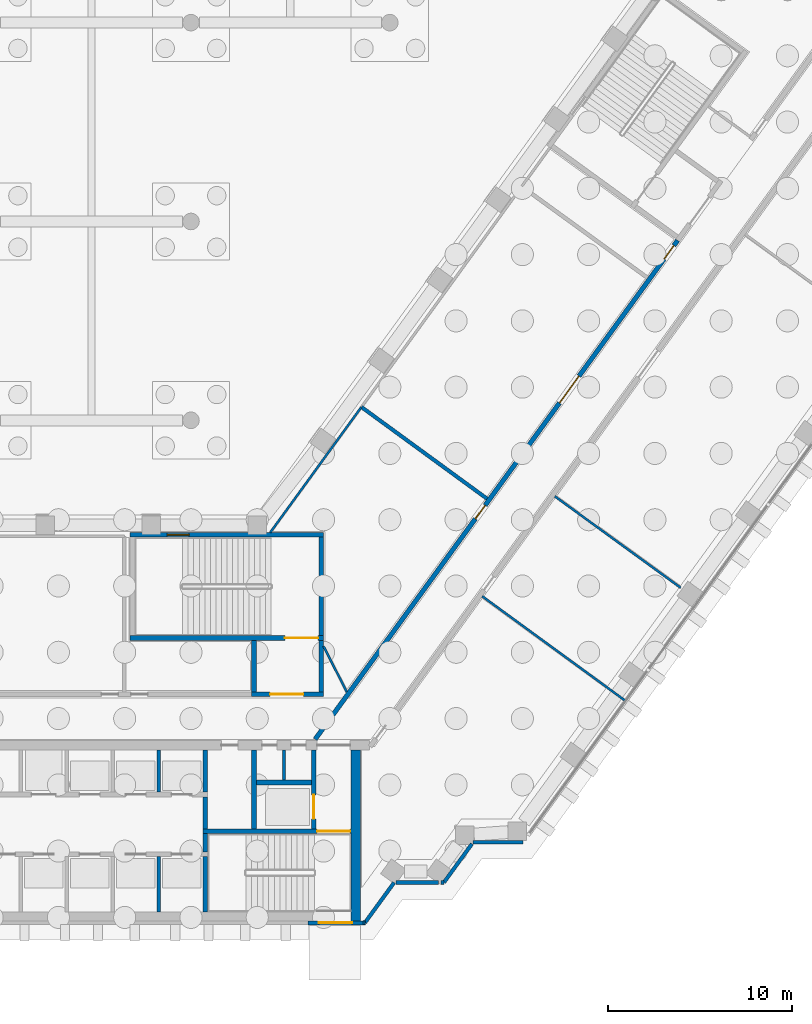
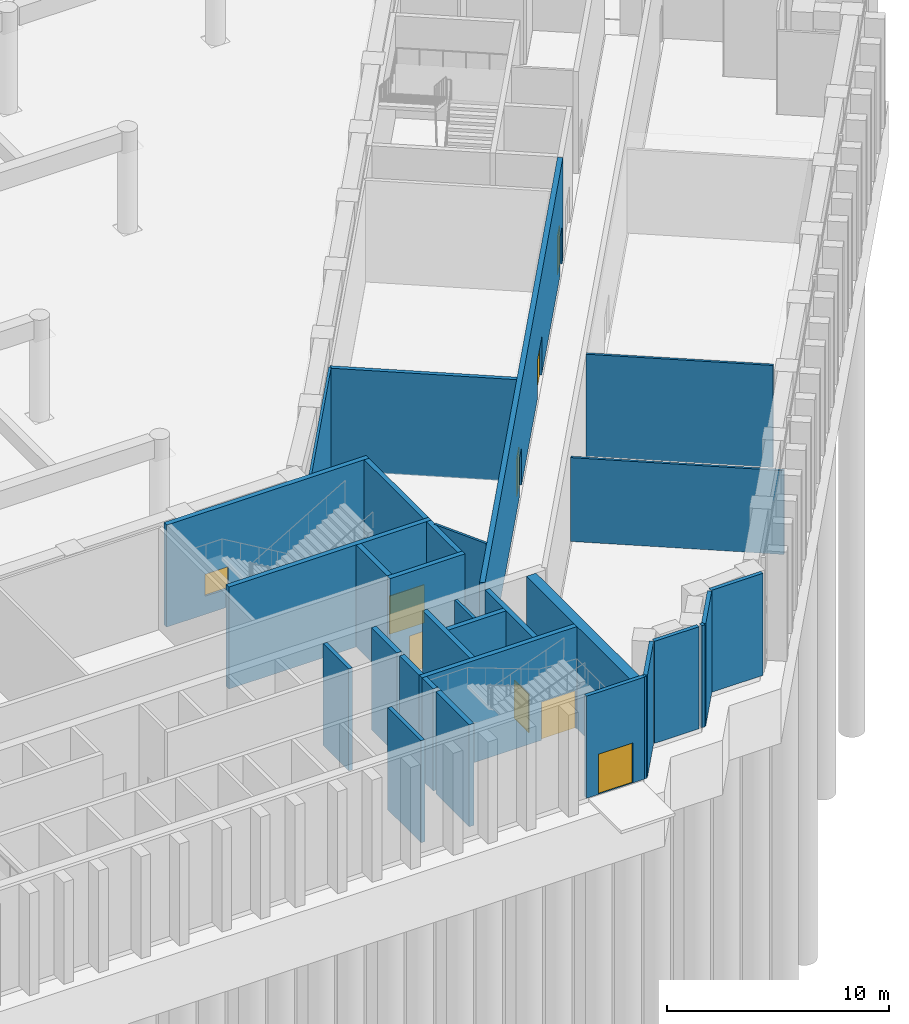
# One storey, part 20 of 32: 31 walls, 8 doors, 1 window, 9 openings.
"""IFC4 building model written with IfcOpenShell, lengths in metres."""

from ifc_helpers import new_model, si_unit, direction, frame, frame_2d, origin, place, context, subcontext, project, spatial, rectangle, extrude, material, layer, layer_set, type_object, element, fill, save


model = new_model("IFC4")

# Units and contexts
model_context = context("Model", 3, precision=1e-05, world=origin(), true_north=direction((0.0, 1.0)))
body_context = subcontext(model_context, "Body", "Model", "MODEL_VIEW")
ifc_project = project(units=[si_unit("LENGTHUNIT", "METRE"), si_unit("AREAUNIT", "SQUARE_METRE"), si_unit("VOLUMEUNIT", "CUBIC_METRE"), si_unit("PLANEANGLEUNIT", "RADIAN"), si_unit("MASSUNIT", "GRAM", prefix="KILO")], contexts=[model_context])

# Site, building, storey
site_placement = place(None, origin())
site = spatial("IfcSite", under=ifc_project, at=site_placement, CompositionType="ELEMENT")
building_placement = place(site_placement, origin())
building = spatial("IfcBuilding", under=site, at=building_placement, Name="Quipu Civic Tower", CompositionType="ELEMENT")
storey_placement = place(building_placement, origin())
storey = spatial("IfcBuildingStorey", under=building, at=storey_placement, Name="L00", CompositionType="ELEMENT", Elevation=0.0)

# Walls
ifc_material_1 = material(Name="Fired clay blockwork", Category="masonry")
ifc_layer_1 = layer(ifc_material_1, 0.199951171875)
ifc_layer_set_1 = layer_set([ifc_layer_1], Name="Fired clay blockwork")
wall_type_1 = type_object("IfcWallType", Name="Blockwork wall 200", PredefinedType="SOLIDWALL", material=ifc_layer_set_1)
wall_1_placement = place(storey_placement, frame((20.057861328125, 16.922119140625, 0.0), z_axis=(0.0, 0.0, 1.0), x_axis=(0.807658919151, -0.58964995575, 0.0)))
element("IfcWall", 1, at=wall_1_placement, inside=storey, type_object=wall_type_1, Name="Partition P07", PredefinedType="SOLIDWALL", context=body_context, shape_type="SweptSolid", body=[
    extrude(rectangle(XDim=8.449462890625, YDim=0.199951171875, at=frame_2d((4.224609375, 0.0))), origin(), (0.0, 0.0, 1.0), 5.60009765625),
])
ifc_material_2 = material(Name="Concrete C70/85", Category="concrete")
ifc_layer_2 = layer(ifc_material_2, 0.25)
ifc_layer_set_2 = layer_set([ifc_layer_2], Name="Concrete C70/85")
wall_type_2 = type_object("IfcWallType", Name="Core wall 250", PredefinedType="SHEAR", material=ifc_layer_set_2)
wall_2_placement = place(storey_placement, frame((11.574951171875, -10.5, 0.0), z_axis=(0.0, 0.0, 1.0), x_axis=(0.0, 1.0, 0.0)))
element("IfcWall", 2, at=wall_2_placement, inside=storey, type_object=wall_type_2, Name="Core wall", PredefinedType="SHEAR", context=body_context, shape_type="SweptSolid", body=[
    extrude(rectangle(XDim=3.0, YDim=0.25, at=frame_2d((1.5, 0.0))), origin(), (0.0, 0.0, 1.0), 5.60009765625),
])
wall_3_placement = place(storey_placement, frame((11.574951171875, -7.25, 0.0), z_axis=(0.0, 0.0, 1.0), x_axis=(0.0, 1.0, 0.0)))
element("IfcWall", 3, at=wall_3_placement, inside=storey, type_object=wall_type_2, Name="Core wall", PredefinedType="SHEAR", context=body_context, shape_type="SweptSolid", body=[
    extrude(rectangle(XDim=1.0, YDim=0.25, at=frame_2d((0.5, 0.0))), origin(), (0.0, 0.0, 1.0), 5.60009765625),
])

# Wall, opening, door
wall_4_placement = place(storey_placement, frame((19.5, -6.125, 0.0), z_axis=(0.0, 0.0, 1.0), x_axis=(-1.0, 0.0, 0.0)))
wall_4 = element("IfcWall", 4, at=wall_4_placement, inside=storey, type_object=wall_type_2, Name="Core wall", PredefinedType="SHEAR", context=body_context, shape_type="SweptSolid", body=[
    extrude(rectangle(XDim=8.050048828125, YDim=0.25, at=frame_2d((4.02490234375, 0.0))), origin(), (0.0, 0.0, 1.0), 5.60009765625),
])
opening_1_placement = place(wall_4_placement, frame((0.050048828125, 0.0, 0.0)))
opening_1 = element("IfcOpeningElement", 5, at=opening_1_placement, cuts=wall_4, Name="Opening CD-05", PredefinedType="OPENING", context=body_context, shape_type="SweptSolid", body=[
    extrude(rectangle(XDim=1.800048828125, YDim=2.10009765625, at=frame_2d((0.89990234375, 1.050048828125))), frame((0.0, 0.135009765625, 0.0), z_axis=(0.0, -1.0, 0.0), x_axis=(1.0, 0.0, 0.0)), (0.0, 0.0, 1.0), 0.27001953125),
])
ifc_material_3 = material(Name="Fire rated steel door", Category="steel")
door_type_1 = type_object("IfcDoorType", Name="Fire door FD90 double 1800 x 2100", OperationType="NOTDEFINED", PredefinedType="DOOR", material=ifc_material_3)
door_1_placement = place(opening_1_placement, origin())
door_1 = element("IfcDoor", 6, at=door_1_placement, inside=storey, type_object=door_type_1, Name="Door", OperationType="DOUBLE_DOOR_SINGLE_SWING", OverallHeight=2.10009765625, OverallWidth=1.800048828125, PredefinedType="DOOR", context=body_context, shape_type="SweptSolid", body=[
    extrude(rectangle(XDim=1.800048828125, YDim=2.10009765625, at=frame_2d((0.89990234375, 1.050048828125))), frame((0.0, 0.02490234375, 0.0), z_axis=(0.0, -1.0, 0.0), x_axis=(1.0, 0.0, 0.0)), (0.0, 0.0, 1.0), 0.050048828125),
])
fill(opening_1, door_1)

# Walls
wall_5_placement = place(storey_placement, frame((11.574951171875, -6.0, 0.0), z_axis=(0.0, 0.0, 1.0), x_axis=(0.0, 1.0, 0.0)))
element("IfcWall", 7, at=wall_5_placement, inside=storey, type_object=wall_type_2, Name="Core wall", PredefinedType="SHEAR", context=body_context, shape_type="SweptSolid", body=[
    extrude(rectangle(XDim=1.75, YDim=0.25, at=frame_2d((0.875, 0.0))), origin(), (0.0, 0.0, 1.0), 5.60009765625),
])
wall_6_placement = place(storey_placement, frame((14.22509765625, -6.0, 0.0), z_axis=(0.0, 0.0, 1.0), x_axis=(0.0, 1.0, 0.0)))
element("IfcWall", 8, at=wall_6_placement, inside=storey, type_object=wall_type_2, Name="Core wall", PredefinedType="SHEAR", context=body_context, shape_type="SweptSolid", body=[
    extrude(rectangle(XDim=4.300048828125, YDim=0.25, at=frame_2d((2.14990234375, 0.0))), origin(), (0.0, 0.0, 1.0), 5.60009765625),
])

# Wall, opening, door
wall_7_placement = place(storey_placement, frame((17.47509765625, -6.0, 0.0), z_axis=(0.0, 0.0, 1.0), x_axis=(0.0, 1.0, 0.0)))
wall_7 = element("IfcWall", 9, at=wall_7_placement, inside=storey, type_object=wall_type_2, Name="Core wall", PredefinedType="SHEAR", context=body_context, shape_type="SweptSolid", body=[
    extrude(rectangle(XDim=4.300048828125, YDim=0.25, at=frame_2d((2.14990234375, 0.0))), origin(), (0.0, 0.0, 1.0), 5.60009765625),
])
opening_2_placement = place(wall_7_placement, frame((0.550048828125, 0.0, 0.0)))
opening_2 = element("IfcOpeningElement", 10, at=opening_2_placement, cuts=wall_7, Name="Opening LD-FF2", PredefinedType="OPENING", context=body_context, shape_type="SweptSolid", body=[
    extrude(rectangle(XDim=1.300048828125, YDim=2.10009765625, at=frame_2d((0.64990234375, 1.050048828125))), frame((0.0, 0.135009765625, 0.0), z_axis=(0.0, -1.0, 0.0), x_axis=(1.0, 0.0, 0.0)), (0.0, 0.0, 1.0), 0.27001953125),
])
ifc_material_4 = material(Name="Stainless steel", Category="steel")
door_type_2 = type_object("IfcDoorType", Name="Lift landing door 1300 x 2100", OperationType="DOUBLE_DOOR_SLIDING", PredefinedType="DOOR", material=ifc_material_4)
door_2_placement = place(opening_2_placement, origin())
door_2 = element("IfcDoor", 11, at=door_2_placement, inside=storey, type_object=door_type_2, Name="Landing door FF2", OperationType="DOUBLE_DOOR_SLIDING", OverallHeight=2.10009765625, OverallWidth=1.300048828125, PredefinedType="DOOR", context=body_context, shape_type="SweptSolid", body=[
    extrude(rectangle(XDim=1.300048828125, YDim=2.10009765625, at=frame_2d((0.64990234375, 1.050048828125))), frame((0.0, 0.02490234375, 0.0), z_axis=(0.0, -1.0, 0.0), x_axis=(1.0, 0.0, 0.0)), (0.0, 0.0, 1.0), 0.050048828125),
])
fill(opening_2, door_2)

# Walls
wall_8_placement = place(storey_placement, frame((11.574951171875, -4.0, 0.0), z_axis=(0.0, 0.0, 1.0), x_axis=(0.0, 1.0, 0.0)))
element("IfcWall", 12, at=wall_8_placement, inside=storey, type_object=wall_type_2, Name="Core wall", PredefinedType="SHEAR", context=body_context, shape_type="SweptSolid", body=[
    extrude(rectangle(XDim=2.300048828125, YDim=0.25, at=frame_2d((1.14990234375, 0.0))), origin(), (0.0, 0.0, 1.0), 5.60009765625),
])
wall_9_placement = place(storey_placement, frame((14.35009765625, -3.47509765625, 0.0), z_axis=(0.0, 0.0, 1.0), x_axis=(1.0, 0.0, 0.0)))
element("IfcWall", 13, at=wall_9_placement, inside=storey, type_object=wall_type_2, Name="Core wall", PredefinedType="SHEAR", context=body_context, shape_type="SweptSolid", body=[
    extrude(rectangle(XDim=3.0, YDim=0.25, at=frame_2d((1.5, 0.0))), origin(), (0.0, 0.0, 1.0), 5.60009765625),
])

# Wall, opening, door
wall_10_placement = place(storey_placement, frame((14.10009765625, 1.324951171875, 0.0), z_axis=(0.0, 0.0, 1.0), x_axis=(1.0, 0.0, 0.0)))
wall_10 = element("IfcWall", 14, at=wall_10_placement, inside=storey, type_object=wall_type_2, Name="Core wall", PredefinedType="SHEAR", context=body_context, shape_type="SweptSolid", body=[
    extrude(rectangle(XDim=3.89990234375, YDim=0.25, at=frame_2d((1.949951171875, 0.0))), origin(), (0.0, 0.0, 1.0), 5.60009765625),
])
opening_3_placement = place(wall_10_placement, frame((1.0, 0.0, 0.0)))
opening_3 = element("IfcOpeningElement", 15, at=opening_3_placement, cuts=wall_10, Name="Opening CD-18", PredefinedType="OPENING", context=body_context, shape_type="SweptSolid", body=[
    extrude(rectangle(XDim=1.800048828125, YDim=2.10009765625, at=frame_2d((0.89990234375, 1.050048828125))), frame((0.0, 0.135009765625, 0.0), z_axis=(0.0, -1.0, 0.0), x_axis=(1.0, 0.0, 0.0)), (0.0, 0.0, 1.0), 0.27001953125),
])
door_3_placement = place(opening_3_placement, origin())
door_3 = element("IfcDoor", 16, at=door_3_placement, inside=storey, type_object=door_type_1, Name="Lobby door", OperationType="DOUBLE_DOOR_SINGLE_SWING", OverallHeight=2.10009765625, OverallWidth=1.800048828125, PredefinedType="DOOR", context=body_context, shape_type="SweptSolid", body=[
    extrude(rectangle(XDim=1.800048828125, YDim=2.10009765625, at=frame_2d((0.89990234375, 1.050048828125))), frame((0.0, 0.02490234375, 0.0), z_axis=(0.0, -1.0, 0.0), x_axis=(1.0, 0.0, 0.0)), (0.0, 0.0, 1.0), 0.050048828125),
])
fill(opening_3, door_3)

# Walls
for number, where, z_axis, x_axis, name in (
    (17, (14.22509765625, 1.449951171875, 0.0), (0.0, 0.0, 1.0), (0.0, 1.0, 0.0), "Core wall"),
    (18, (17.875, 1.449951171875, 0.0), (0.0, 0.0, 1.0), (0.0, 1.0, 0.0), "Core wall"),
):
    element("IfcWall", number, at=place(storey_placement, frame(where, z_axis=z_axis, x_axis=x_axis)), inside=storey, type_object=wall_type_2, Name=name, PredefinedType="SHEAR", context=body_context, shape_type="SweptSolid", body=[
        extrude(rectangle(XDim=2.800048828125, YDim=0.25, at=frame_2d((1.39990234375, 0.0))), origin(), (0.0, 0.0, 1.0), 5.60009765625),
    ])

# Wall, opening, door
wall_11_placement = place(storey_placement, frame((7.5, 4.375, 0.0), z_axis=(0.0, 0.0, 1.0), x_axis=(1.0, 0.0, 0.0)))
wall_11 = element("IfcWall", 19, at=wall_11_placement, inside=storey, type_object=wall_type_2, Name="Core wall", PredefinedType="SHEAR", context=body_context, shape_type="SweptSolid", body=[
    extrude(rectangle(XDim=10.5, YDim=0.25, at=frame_2d((5.25, 0.0))), origin(), (0.0, 0.0, 1.0), 5.60009765625),
])
opening_4_placement = place(wall_11_placement, frame((8.39990234375, 0.0, 0.0)))
opening_4 = element("IfcOpeningElement", 20, at=opening_4_placement, cuts=wall_11, Name="Opening CD-19", PredefinedType="OPENING", context=body_context, shape_type="SweptSolid", body=[
    extrude(rectangle(XDim=1.800048828125, YDim=2.10009765625, at=frame_2d((0.89990234375, 1.050048828125))), frame((0.0, 0.135009765625, 0.0), z_axis=(0.0, -1.0, 0.0), x_axis=(1.0, 0.0, 0.0)), (0.0, 0.0, 1.0), 0.27001953125),
])
door_4_placement = place(opening_4_placement, origin())
door_4 = element("IfcDoor", 21, at=door_4_placement, inside=storey, type_object=door_type_1, Name="Door", OperationType="DOUBLE_DOOR_SINGLE_SWING", OverallHeight=2.10009765625, OverallWidth=1.800048828125, PredefinedType="DOOR", context=body_context, shape_type="SweptSolid", body=[
    extrude(rectangle(XDim=1.800048828125, YDim=2.10009765625, at=frame_2d((0.89990234375, 1.050048828125))), frame((0.0, 0.02490234375, 0.0), z_axis=(0.0, -1.0, 0.0), x_axis=(1.0, 0.0, 0.0)), (0.0, 0.0, 1.0), 0.050048828125),
])
fill(opening_4, door_4)

# Wall
wall_12_placement = place(storey_placement, frame((17.875, 4.5, 0.0), z_axis=(0.0, 0.0, 1.0), x_axis=(0.0, 1.0, 0.0)))
element("IfcWall", 22, at=wall_12_placement, inside=storey, type_object=wall_type_2, Name="Core wall", PredefinedType="SHEAR", context=body_context, shape_type="SweptSolid", body=[
    extrude(rectangle(XDim=5.35009765625, YDim=0.25, at=frame_2d((2.675048828125, 0.0))), origin(), (0.0, 0.0, 1.0), 5.60009765625),
])

# Wall, opening, window
wall_13_placement = place(storey_placement, frame((7.5, 9.97509765625, 0.0), z_axis=(0.0, 0.0, 1.0), x_axis=(1.0, 0.0, 0.0)))
wall_13 = element("IfcWall", 23, at=wall_13_placement, inside=storey, type_object=wall_type_2, Name="Core wall", PredefinedType="SHEAR", context=body_context, shape_type="SweptSolid", body=[
    extrude(rectangle(XDim=10.5, YDim=0.25, at=frame_2d((5.25, 0.0))), origin(), (0.0, 0.0, 1.0), 5.60009765625),
])
opening_5_placement = place(wall_13_placement, frame((2.0, 0.0, 1.0)))
opening_5 = element("IfcOpeningElement", 24, at=opening_5_placement, cuts=wall_13, Name="Opening SV-4", PredefinedType="OPENING", context=body_context, shape_type="SweptSolid", body=[
    extrude(rectangle(XDim=1.199951171875, YDim=1.199951171875, at=frame_2d((0.60009765625, 0.60009765625))), frame((0.0, 0.135009765625, 0.0), z_axis=(0.0, -1.0, 0.0), x_axis=(1.0, 0.0, 0.0)), (0.0, 0.0, 1.0), 0.27001953125),
])
ifc_material_5 = material(Name="Aluminium louvre", Category="aluminium")
window_type = type_object("IfcWindowType", Name="Stair ventilation louvre 1200 x 1200", PartitioningType="SINGLE_PANEL", PredefinedType="WINDOW", material=ifc_material_5)
window_placement = place(opening_5_placement, origin())
window = element("IfcWindow", 25, at=window_placement, inside=storey, type_object=window_type, Name="Stair ventilation opening", OverallHeight=1.199951171875, OverallWidth=1.199951171875, PartitioningType="SINGLE_PANEL", PredefinedType="WINDOW", context=body_context, shape_type="SweptSolid", body=[
    extrude(rectangle(XDim=1.199951171875, YDim=1.199951171875, at=frame_2d((0.60009765625, 0.60009765625))), frame((0.0, 0.030029296875, 0.0), z_axis=(0.0, -1.0, 0.0), x_axis=(1.0, 0.0, 0.0)), (0.0, 0.0, 1.0), 0.06005859375),
])
fill(opening_5, window)

# Wall
ifc_material_6 = material(Name="Concrete C70/85", Category="concrete")
ifc_layer_3 = layer(ifc_material_6, 0.5)
ifc_layer_set_3 = layer_set([ifc_layer_3], Name="Concrete C70/85")
wall_type_3 = type_object("IfcWallType", Name="Core wall 500", PredefinedType="SHEAR", material=ifc_layer_set_3)
wall_14_placement = place(storey_placement, frame((19.75, -11.0, 0.0), z_axis=(0.0, 0.0, 1.0), x_axis=(0.0, 1.0, 0.0)))
element("IfcWall", 26, at=wall_14_placement, inside=storey, type_object=wall_type_3, Name="Core wall", PredefinedType="SHEAR", context=body_context, shape_type="SweptSolid", body=[
    extrude(rectangle(XDim=9.300048828125, YDim=0.5, at=frame_2d((4.64990234375, 0.0))), origin(), (0.0, 0.0, 1.0), 5.60009765625),
])

# Wall, openings, doors
ifc_material_7 = material(Name="Concrete C50/60", Category="concrete")
ifc_layer_4 = layer(ifc_material_7, 0.25)
ifc_layer_set_4 = layer_set([ifc_layer_4], Name="Concrete C50/60")
wall_type_4 = type_object("IfcWallType", Name="Corridor wall 250 concrete", PredefinedType="SOLIDWALL", material=ifc_layer_set_4)
wall_15_placement = place(storey_placement, frame((17.544921875, -1.124755859375, 0.0), z_axis=(0.0, 0.0, 1.0), x_axis=(0.587786323093, 0.809016216391, 0.0)))
wall_15 = element("IfcWall", 27, at=wall_15_placement, inside=storey, type_object=wall_type_4, Name="Corridor wall C06", PredefinedType="SOLIDWALL", context=body_context, shape_type="SweptSolid", body=[
    extrude(rectangle(XDim=33.4931640625, YDim=0.25, at=frame_2d((16.74658203125, 0.0))), origin(), (0.0, 0.0, 1.0), 5.60009765625),
])
opening_6_placement = place(wall_15_placement, frame((22.583251953125, 0.0, 0.0)))
opening_6 = element("IfcOpeningElement", 28, at=opening_6_placement, cuts=wall_15, Name="Opening D002", PredefinedType="OPENING", context=body_context, shape_type="SweptSolid", body=[
    extrude(rectangle(XDim=1.800048828125, YDim=2.10009765625, at=frame_2d((0.89990234375, 1.050048828125))), frame((0.0, 0.135009765625, 0.0), z_axis=(0.0, -1.0, 0.0), x_axis=(1.0, 0.0, 0.0)), (0.0, 0.0, 1.0), 0.27001953125),
])
opening_7_placement = place(wall_15_placement, frame((14.80712890625, 0.0, 0.0)))
opening_7 = element("IfcOpeningElement", 29, at=opening_7_placement, cuts=wall_15, Name="Opening D001", PredefinedType="OPENING", context=body_context, shape_type="SweptSolid", body=[
    extrude(rectangle(XDim=0.89990234375, YDim=2.10009765625, at=frame_2d((0.449951171875, 1.050048828125))), frame((0.0, 0.135009765625, 0.0), z_axis=(0.0, -1.0, 0.0), x_axis=(1.0, 0.0, 0.0)), (0.0, 0.0, 1.0), 0.27001953125),
])
opening_8_placement = place(wall_15_placement, frame((32.2529296875, 0.0, 0.0)))
opening_8 = element("IfcOpeningElement", 30, at=opening_8_placement, cuts=wall_15, Name="Opening D003", PredefinedType="OPENING", context=body_context, shape_type="SweptSolid", body=[
    extrude(rectangle(XDim=0.89990234375, YDim=2.10009765625, at=frame_2d((0.449951171875, 1.050048828125))), frame((0.0, 0.135009765625, 0.0), z_axis=(0.0, -1.0, 0.0), x_axis=(1.0, 0.0, 0.0)), (0.0, 0.0, 1.0), 0.27001953125),
])
ifc_material_8 = material(Name="Fire rated timber door set with metal frame", Category="wood")
door_type_3 = type_object("IfcDoorType", Name="Double door 1800 x 2100 FD60", OperationType="DOUBLE_DOOR_SINGLE_SWING", PredefinedType="DOOR", material=ifc_material_8)
door_5_placement = place(opening_6_placement, origin())
door_5 = element("IfcDoor", 31, at=door_5_placement, inside=storey, type_object=door_type_3, Name="Door D002", OperationType="DOUBLE_DOOR_SINGLE_SWING", OverallHeight=2.10009765625, OverallWidth=1.800048828125, PredefinedType="DOOR", context=body_context, shape_type="SweptSolid", body=[
    extrude(rectangle(XDim=1.800048828125, YDim=2.10009765625, at=frame_2d((0.89990234375, 1.050048828125))), frame((0.0, 0.02490234375, 0.0), z_axis=(0.0, -1.0, 0.0), x_axis=(1.0, 0.0, 0.0)), (0.0, 0.0, 1.0), 0.050048828125),
])
fill(opening_6, door_5)
ifc_material_9 = material(Name="Fire rated timber door set with metal frame", Category="wood")
door_type_4 = type_object("IfcDoorType", Name="Single door 900 x 2100 FD60", OperationType="NOTDEFINED", PredefinedType="DOOR", material=ifc_material_9)
door_6_placement = place(opening_7_placement, origin())
door_6 = element("IfcDoor", 32, at=door_6_placement, inside=storey, type_object=door_type_4, Name="Door D001", OperationType="SINGLE_SWING_RIGHT", OverallHeight=2.10009765625, OverallWidth=0.89990234375, PredefinedType="DOOR", context=body_context, shape_type="SweptSolid", body=[
    extrude(rectangle(XDim=0.89990234375, YDim=2.10009765625, at=frame_2d((0.449951171875, 1.050048828125))), frame((0.0, 0.02490234375, 0.0), z_axis=(0.0, -1.0, 0.0), x_axis=(1.0, 0.0, 0.0)), (0.0, 0.0, 1.0), 0.050048828125),
])
fill(opening_7, door_6)
door_7_placement = place(opening_8_placement, origin())
door_7 = element("IfcDoor", 33, at=door_7_placement, inside=storey, type_object=door_type_4, Name="Door D003", OperationType="SINGLE_SWING_RIGHT", OverallHeight=2.10009765625, OverallWidth=0.89990234375, PredefinedType="DOOR", context=body_context, shape_type="SweptSolid", body=[
    extrude(rectangle(XDim=0.89990234375, YDim=2.10009765625, at=frame_2d((0.449951171875, 1.050048828125))), frame((0.0, 0.02490234375, 0.0), z_axis=(0.0, -1.0, 0.0), x_axis=(1.0, 0.0, 0.0)), (0.0, 0.0, 1.0), 0.050048828125),
])
fill(opening_8, door_7)

# Walls
ifc_material_10 = material(Name="Gypsum plasterboard on light gauge framing")
ifc_layer_5 = layer(ifc_material_10, 0.1201171875)
ifc_layer_set_5 = layer_set([ifc_layer_5], Name="Gypsum plasterboard on light gauge framing")
wall_type_5 = type_object("IfcWallType", Name="Partition 120 plasterboard", PredefinedType="PARTITIONING", material=ifc_layer_set_5)
wall_16_placement = place(storey_placement, frame((37.399169921875, 7.104736328125, 0.0), z_axis=(0.0, 0.0, 1.0), x_axis=(-0.808992136407, 0.587819464829, 0.0)))
element("IfcWall", 34, at=wall_16_placement, inside=storey, type_object=wall_type_5, Name="Partition P01", PredefinedType="PARTITIONING", context=body_context, shape_type="SweptSolid", body=[
    extrude(rectangle(XDim=8.449951171875, YDim=0.1201171875, at=frame_2d((4.22509765625, 0.0))), origin(), (0.0, 0.0, 1.0), 5.60009765625),
])
wall_17_placement = place(storey_placement, frame((26.618896484375, 6.643310546875, 0.0), z_axis=(0.0, 0.0, 1.0), x_axis=(0.807593618158, -0.589739389824, 0.0)))
element("IfcWall", 35, at=wall_17_placement, inside=storey, type_object=wall_type_5, Name="Partition P02", PredefinedType="PARTITIONING", context=body_context, shape_type="SweptSolid", body=[
    extrude(rectangle(XDim=9.651123046875, YDim=0.1201171875, at=frame_2d((4.82568359375, 0.0))), origin(), (0.0, 0.0, 1.0), 4.60009765625),
])
wall_18_placement = place(storey_placement, frame((20.0458984375, 16.906005859375, 0.0), z_axis=(0.0, 0.0, 1.0), x_axis=(-0.587788556303, -0.809014593861, 0.0)))
element("IfcWall", 36, at=wall_18_placement, inside=storey, type_object=wall_type_5, Name="Partition P39", PredefinedType="PARTITIONING", context=body_context, shape_type="SweptSolid", body=[
    extrude(rectangle(XDim=8.41259765625, YDim=0.1201171875, at=frame_2d((4.206298828125, 0.0))), origin(), (0.0, 0.0, 1.0), 5.60009765625),
])
wall_19_placement = place(storey_placement, frame((18.0, 3.925048828125, 0.0), z_axis=(0.0, 0.0, 1.0), x_axis=(0.453950796792, -0.891026752736, 0.0)))
element("IfcWall", 37, at=wall_19_placement, inside=storey, type_object=wall_type_5, Name="Partition P44", PredefinedType="PARTITIONING", context=body_context, shape_type="SweptSolid", body=[
    extrude(rectangle(XDim=2.77783203125, YDim=0.1201171875, at=frame_2d((1.388916015625, 0.0))), origin(), (0.0, 0.0, 1.0), 5.60009765625),
])
ifc_material_11 = material(Name="Gypsum board partition")
ifc_layer_6 = layer(ifc_material_11, 0.14990234375)
ifc_layer_set_6 = layer_set([ifc_layer_6], Name="Gypsum board partition")
wall_type_6 = type_object("IfcWallType", Name="Partition 150", PredefinedType="PARTITIONING", material=ifc_layer_set_6)
wall_20_placement = place(storey_placement, frame((15.85009765625, -3.35009765625, 0.0), z_axis=(0.0, 0.0, 1.0), x_axis=(0.0, 1.0, 0.0)))
element("IfcWall", 38, at=wall_20_placement, inside=storey, type_object=wall_type_6, Name="Partition", PredefinedType="PARTITIONING", context=body_context, shape_type="SweptSolid", body=[
    extrude(rectangle(XDim=1.650146484375, YDim=0.14990234375, at=frame_2d((0.8251953125, 0.0))), origin(), (0.0, 0.0, 1.0), 5.60009765625),
])
ifc_material_12 = material(Name="Precast concrete C40/50", Category="concrete")
wall_type_7 = type_object("IfcWallType", Name="Precast cladding wall", PredefinedType="SOLIDWALL", material=ifc_material_12)
wall_21_placement = place(storey_placement, frame((20.150634765625, -11.087890625, 0.0), z_axis=(0.0, 0.0, 1.0), x_axis=(1.0, 0.0, 0.0)))
element("IfcWall", 39, at=wall_21_placement, inside=storey, type_object=wall_type_7, Name="Precast cladding wall L00 45", PredefinedType="SOLIDWALL", context=body_context, shape_type="SweptSolid", body=[
    extrude(rectangle(XDim=0.105224609375, YDim=0.199951171875, at=frame_2d((0.052734375, 0.0))), origin(), (0.0, 0.0, 1.0), 5.60009765625),
])
wall_22_placement = place(storey_placement, frame((20.253173828125, -11.083251953125, 0.0), z_axis=(0.0, 0.0, 1.0), x_axis=(0.587766567315, 0.809030569476, 0.0)))
element("IfcWall", 40, at=wall_22_placement, inside=storey, type_object=wall_type_7, Name="Precast cladding wall L00 46", PredefinedType="SOLIDWALL", context=body_context, shape_type="SweptSolid", body=[
    extrude(rectangle(XDim=2.687744140625, YDim=0.199951171875, at=frame_2d((1.34375, 0.0))), origin(), (0.0, 0.0, 1.0), 5.60009765625),
])
wall_23_placement = place(storey_placement, frame((21.943359375, -8.90380859375, 0.0), z_axis=(0.0, 0.0, 1.0), x_axis=(1.0, 0.0, 0.0)))
element("IfcWall", 41, at=wall_23_placement, inside=storey, type_object=wall_type_7, Name="Precast cladding wall L00 47", PredefinedType="SOLIDWALL", context=body_context, shape_type="SweptSolid", body=[
    extrude(rectangle(XDim=2.2978515625, YDim=0.199951171875, at=frame_2d((1.14892578125, 0.0))), origin(), (0.0, 0.0, 1.0), 5.60009765625),
])
wall_24_placement = place(storey_placement, frame((24.38671875, -8.90380859375, 0.0), z_axis=(0.0, 0.0, 1.0), x_axis=(1.0, 0.0, 0.0)))
element("IfcWall", 42, at=wall_24_placement, inside=storey, type_object=wall_type_7, Name="Precast cladding wall L00 48", PredefinedType="SOLIDWALL", context=body_context, shape_type="SweptSolid", body=[
    extrude(rectangle(XDim=0.156005859375, YDim=0.199951171875, at=frame_2d((0.078125, 0.0))), origin(), (0.0, 0.0, 1.0), 5.60009765625),
])
wall_25_placement = place(storey_placement, frame((24.540283203125, -8.89892578125, 0.0), z_axis=(0.0, 0.0, 1.0), x_axis=(0.587700286833, 0.809078718578, 0.0)))
element("IfcWall", 43, at=wall_25_placement, inside=storey, type_object=wall_type_7, Name="Precast cladding wall L00 49", PredefinedType="SOLIDWALL", context=body_context, shape_type="SweptSolid", body=[
    extrude(rectangle(XDim=2.587158203125, YDim=0.199951171875, at=frame_2d((1.29345703125, 0.0))), origin(), (0.0, 0.0, 1.0), 5.60009765625),
])
wall_26_placement = place(storey_placement, frame((26.1298828125, -6.71923828125, 0.0), z_axis=(0.0, 0.0, 1.0), x_axis=(1.0, 0.0, 0.0)))
element("IfcWall", 44, at=wall_26_placement, inside=storey, type_object=wall_type_7, Name="Precast cladding wall L00 50", PredefinedType="SOLIDWALL", context=body_context, shape_type="SweptSolid", body=[
    extrude(rectangle(XDim=2.699951171875, YDim=0.199951171875, at=frame_2d((1.35009765625, 0.0))), origin(), (0.0, 0.0, 1.0), 5.60009765625),
])

# Wall, opening, door
ifc_material_13 = material(Name="Precast concrete C40/50", Category="concrete")
wall_type_8 = type_object("IfcWallType", Name="Precast door surround", PredefinedType="SOLIDWALL", material=ifc_material_13)
wall_27_placement = place(storey_placement, frame((20.150634765625, -11.10009765625, 0.0), z_axis=(0.0, 0.0, 1.0), x_axis=(-1.0, 0.0, 0.0)))
wall_27 = element("IfcWall", 45, at=wall_27_placement, inside=storey, type_object=wall_type_8, Name="Door surround SD-L00-2", PredefinedType="SOLIDWALL", context=body_context, shape_type="SweptSolid", body=[
    extrude(rectangle(XDim=3.007568359375, YDim=0.199951171875, at=frame_2d((1.50390625, 0.0))), origin(), (0.0, 0.0, 1.0), 5.60009765625),
])
opening_9_placement = place(wall_27_placement, frame((0.603759765625, 0.0, 0.0)))
opening_9 = element("IfcOpeningElement", 46, at=opening_9_placement, cuts=wall_27, Name="Opening SD-L00-2", PredefinedType="OPENING", context=body_context, shape_type="SweptSolid", body=[
    extrude(rectangle(XDim=1.800048828125, YDim=2.199951171875, at=frame_2d((0.89990234375, 1.10009765625))), frame((0.0, 0.10986328125, 0.0), z_axis=(0.0, -1.0, 0.0), x_axis=(1.0, 0.0, 0.0)), (0.0, 0.0, 1.0), 0.219970703125),
])
ifc_material_14 = material(Name="Steel framed door", Category="steel")
door_type_5 = type_object("IfcDoorType", Name="Stair discharge door double leaf", OperationType="DOUBLE_DOOR_SINGLE_SWING", PredefinedType="DOOR", material=ifc_material_14)
door_8_placement = place(opening_9_placement, origin())
door_8 = element("IfcDoor", 47, at=door_8_placement, inside=storey, type_object=door_type_5, Name="E4 door SD-L00-2", OperationType="DOUBLE_DOOR_SINGLE_SWING", OverallHeight=2.199951171875, OverallWidth=1.800048828125, PredefinedType="DOOR", context=body_context, shape_type="SweptSolid", body=[
    extrude(rectangle(XDim=1.800048828125, YDim=2.199951171875, at=frame_2d((0.89990234375, 1.10009765625))), frame((0.0, 0.02490234375, 0.0), z_axis=(0.0, -1.0, 0.0), x_axis=(1.0, 0.0, 0.0)), (0.0, 0.0, 1.0), 0.050048828125),
])
fill(opening_9, door_8)

# Walls
ifc_material_15 = material(Name="Concrete C40/50", Category="concrete")
ifc_layer_7 = layer(ifc_material_15, 0.199951171875)
ifc_layer_set_7 = layer_set([ifc_layer_7], Name="Concrete C40/50")
wall_type_9 = type_object("IfcWallType", Name="Shaft wall 200", PredefinedType="SOLIDWALL", material=ifc_layer_set_7)
wall_28_placement = place(storey_placement, frame((9.050048828125, -10.5, 0.0), z_axis=(0.0, 0.0, 1.0), x_axis=(0.0, 1.0, 0.0)))
element("IfcWall", 48, at=wall_28_placement, inside=storey, type_object=wall_type_9, Name="Shaft wall", PredefinedType="SOLIDWALL", context=body_context, shape_type="SweptSolid", body=[
    extrude(rectangle(XDim=3.0, YDim=0.199951171875, at=frame_2d((1.5, 0.0))), origin(), (0.0, 0.0, 1.0), 5.60009765625),
])
wall_29_placement = place(storey_placement, frame((9.050048828125, -4.0, 0.0), z_axis=(0.0, 0.0, 1.0), x_axis=(0.0, 1.0, 0.0)))
element("IfcWall", 49, at=wall_29_placement, inside=storey, type_object=wall_type_9, Name="Shaft wall", PredefinedType="SOLIDWALL", context=body_context, shape_type="SweptSolid", body=[
    extrude(rectangle(XDim=2.300048828125, YDim=0.199951171875, at=frame_2d((1.14990234375, 0.0))), origin(), (0.0, 0.0, 1.0), 5.60009765625),
])

save(model, "model.ifc")
